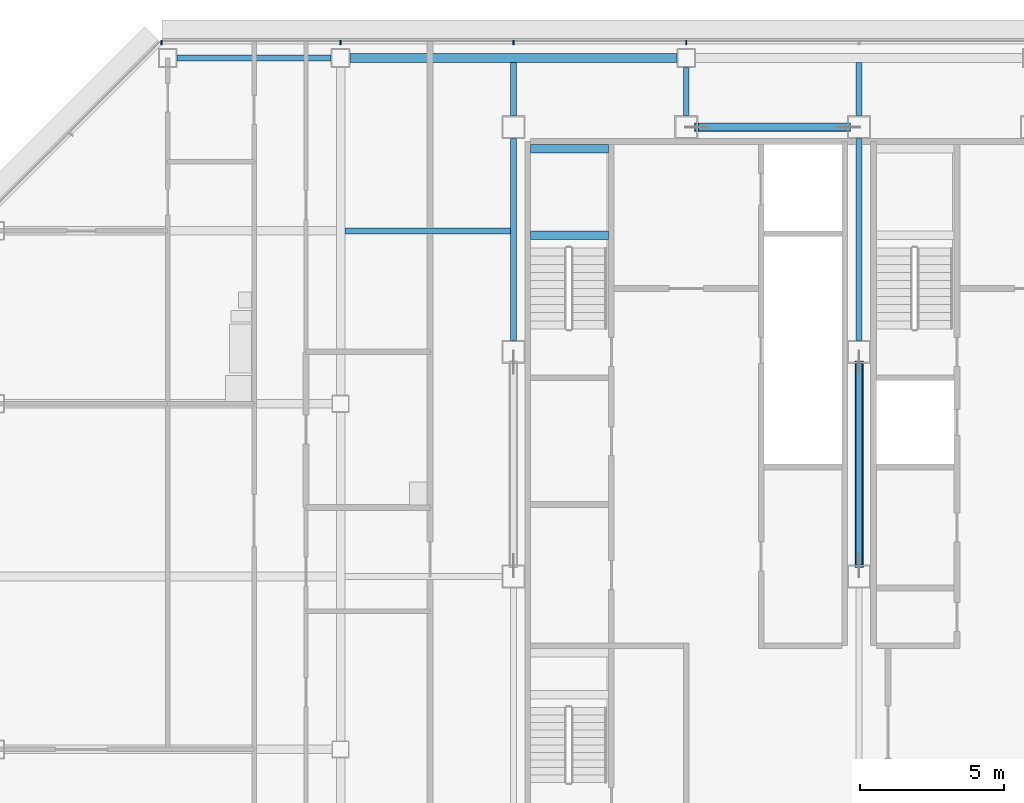
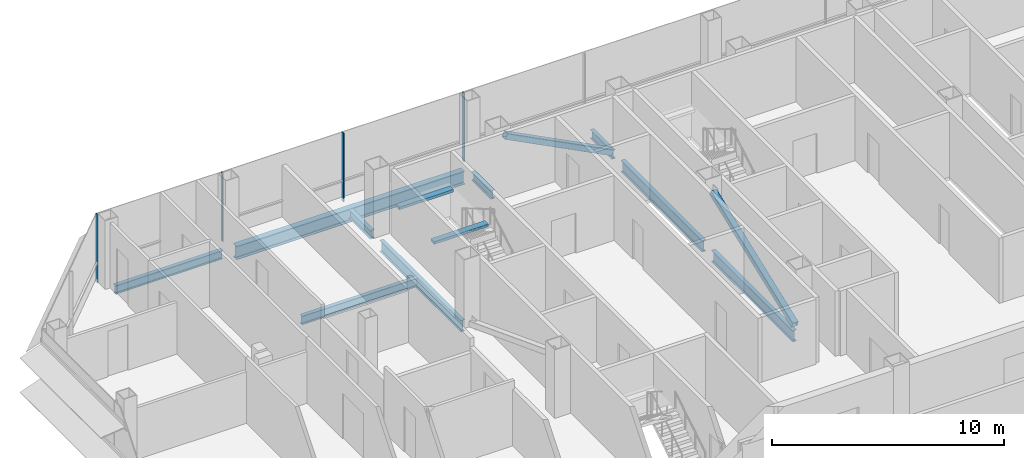
# One storey, part 12 of 26: 11 beams, 6 members, 1 element without a shape of its own.
"""IFC4 building model written with IfcOpenShell, lengths in metres."""

import ifcopenshell
import ifcopenshell.guid

model = None  # the IFC model being written
_history = None  # IfcOwnerHistory: only IFC2X3 demands one
_inside = {}  # id of a spatial element -> (the spatial element, [elements in it])
_under = {}  # id of a project, library or spatial element -> (it, [spatial elements below it])
_declared = {}  # id of a project -> (the project, [libraries it declares])
_typed = {}  # id of a type object -> (the type object, [elements of that type])
_made_of = {}  # id of a material, layer set ... -> (it, [elements and type objects made of it])


def new_model(schema):
    """Start an empty IFC model of exactly this schema.

    Asked for "IFC4X3", IfcOpenShell would pick the latest addendum, in which some entities
    have other attributes; the version numbers below select the first issue.
    IFC2X3 requires an IfcOwnerHistory on every rooted entity: one is made here for all.
    """
    global model, _history
    if schema == "IFC4X3":
        model = ifcopenshell.file(schema_version=(4, 3, 0, 0))
    else:
        model = ifcopenshell.file(schema=schema)
    _inside.clear()
    _under.clear()
    _declared.clear()
    _typed.clear()
    _made_of.clear()
    _history = None
    if model.schema == "IFC2X3":
        org = make("IfcOrganization", Name="unknown")
        user = make(
            "IfcPersonAndOrganization",
            ThePerson=make("IfcPerson", FamilyName="unknown"),
            TheOrganization=org,
        )
        app = make(
            "IfcApplication",
            ApplicationDeveloper=org,
            Version="unknown",
            ApplicationFullName="unknown",
            ApplicationIdentifier="unknown",
        )
        _history = make(
            "IfcOwnerHistory",
            OwningUser=user,
            OwningApplication=app,
            ChangeAction="ADDED",
            CreationDate=0,
        )
    return model


def make(cls, **values):
    """One entity of the class cls with the attributes given. An attribute that is None is left unset."""
    return model.create_entity(
        cls, **{name: value for name, value in values.items() if value is not None}
    )


def rooted(cls, **values):
    """An entity with a GlobalId (a new one), such as an element, a storey or a relation."""
    return make(cls, GlobalId=ifcopenshell.guid.new(), OwnerHistory=_history, **values)


def si_unit(unit_type, name, prefix=None):
    """IfcSIUnit, for example si_unit("LENGTHUNIT", "METRE", prefix="MILLI")."""
    return make("IfcSIUnit", UnitType=unit_type, Prefix=prefix, Name=name)


def assignment(units):
    """IfcUnitAssignment: the units of a project."""
    return None if units is None else make("IfcUnitAssignment", Units=units)


def point(xyz):
    """IfcCartesianPoint."""
    return None if xyz is None else make("IfcCartesianPoint", Coordinates=xyz)


def direction(xyz):
    """IfcDirection."""
    return None if xyz is None else make("IfcDirection", DirectionRatios=xyz)


def frame(location, z_axis=None, x_axis=None):
    """IfcAxis2Placement3D, a coordinate frame: its origin and axes. An axis left out is left unset."""
    return make(
        "IfcAxis2Placement3D",
        Location=point(location),
        Axis=direction(z_axis),
        RefDirection=direction(x_axis),
    )


def frame_2d(location, x_axis=None):
    """IfcAxis2Placement2D, a coordinate frame in the plane: its origin and x axis."""
    return make(
        "IfcAxis2Placement2D", Location=point(location), RefDirection=direction(x_axis)
    )


def origin():
    """The frame at (0, 0, 0) with its axes left unset."""
    return frame((0.0, 0.0, 0.0))


def origin_2d():
    """The frame at (0, 0) in the plane with its x axis left unset."""
    return frame_2d((0.0, 0.0))


def place(relative_to, where):
    """IfcLocalPlacement: puts the frame where relative to a parent placement (None: the world)."""
    return make(
        "IfcLocalPlacement", PlacementRelTo=relative_to, RelativePlacement=where
    )


def context(
    kind, dimensions, precision=None, world=None, true_north=None, identifier=None
):
    """IfcGeometricRepresentationContext, for example the 3D "Model" context."""
    return make(
        "IfcGeometricRepresentationContext",
        ContextIdentifier=identifier,
        ContextType=kind,
        CoordinateSpaceDimension=dimensions,
        Precision=precision,
        WorldCoordinateSystem=world,
        TrueNorth=true_north,
    )


def subcontext(parent, identifier, kind, view, scale=None):
    """IfcGeometricRepresentationSubContext, for example "Body" below "Model"."""
    return make(
        "IfcGeometricRepresentationSubContext",
        ContextIdentifier=identifier,
        ContextType=kind,
        ParentContext=parent,
        TargetScale=scale,
        TargetView=view,
    )


def project(units=None, contexts=None):
    """IfcProject with its units and contexts."""
    return rooted(
        "IfcProject",
        Name="project",
        RepresentationContexts=contexts,
        UnitsInContext=assignment(units),
    )


def spatial(cls, under=None, at=None, **own):
    """A site, building, storey or space (cls), placed at a placement, below another one or the project."""
    s = rooted(cls, ObjectPlacement=at, **own)
    if under is not None:
        _under.setdefault(under.id(), (under, []))[1].append(s)
    return s


def profile(cls, at=None, kind="AREA", **sizes):
    """A parametric profile (cls). Its sizes go by their IFC names, for example OverallWidth=200.0."""
    return make(cls, ProfileType=kind, Position=at, **sizes)


def rectangle(**sizes):
    """IfcRectangleProfileDef."""
    return profile("IfcRectangleProfileDef", **sizes)


def hollow_rectangle(**sizes):
    """IfcRectangleHollowProfileDef."""
    return profile("IfcRectangleHollowProfileDef", **sizes)


def i_section(**sizes):
    """IfcIShapeProfileDef."""
    return profile("IfcIShapeProfileDef", **sizes)


def extrude(swept, where, along, depth):
    """IfcExtrudedAreaSolid: the profile swept, set in the frame where, extruded along a direction by depth."""
    return make(
        "IfcExtrudedAreaSolid",
        SweptArea=swept,
        Position=where,
        ExtrudedDirection=direction(along),
        Depth=depth,
    )


def shape(context_of_items, identifier, shape_type, items):
    """IfcShapeRepresentation: the items that make up one representation, for example the "Body"."""
    return make(
        "IfcShapeRepresentation",
        ContextOfItems=context_of_items,
        RepresentationIdentifier=identifier,
        RepresentationType=shape_type,
        Items=items,
    )


def material(Name=None, Category=None):
    """IfcMaterial."""
    return make("IfcMaterial", Name=Name, Category=Category)


def material_profile(
    of_material, cross_section, Name=None, Category=None, Priority=None
):
    """IfcMaterialProfile: a cross section and its material."""
    return make(
        "IfcMaterialProfile",
        Name=Name,
        Material=of_material,
        Profile=cross_section,
        Priority=Priority,
        Category=Category,
    )


def profile_set(profiles, Name=None, composite=None):
    """IfcMaterialProfileSet."""
    return make(
        "IfcMaterialProfileSet",
        Name=Name,
        MaterialProfiles=profiles,
        CompositeProfile=composite,
    )


def made_of(thing, what):
    """Note that an element or type object is made of a material, layer set ...; save() writes the relation."""
    if what is not None:
        _made_of.setdefault(what.id(), (what, []))[1].append(thing)
    return thing


def type_object(cls, material=None, **own):
    """A type object (cls), such as IfcWallType, which elements share."""
    return made_of(rooted(cls, **own), material)


def element(
    cls,
    number,
    at=None,
    inside=None,
    cuts=None,
    type_object=None,
    material=None,
    context=None,
    identifier="Body",
    shape_type=None,
    held_by="IfcProductDefinitionShape",
    body=None,
    shapes=None,
    **own,
):
    """One element of the class cls, such as IfcWall. Its Tag is "e" and its number.

    at: its placement. inside: the storey or other place that contains it. cuts: it is an
    opening in that element (IfcRelVoidsElement). A single representation is given by context,
    identifier, shape_type and body (its items); several are given by shapes. held_by: the class
    of the entity that holds the representations. save() writes the other relations.
    """
    e = rooted(cls, Tag="e%d" % number, ObjectPlacement=at, **own)
    if body is not None:
        shapes = [shape(context, identifier, shape_type, body)]
    if shapes is not None:
        e.Representation = make(held_by, Representations=shapes)
    if inside is not None:
        _inside.setdefault(inside.id(), (inside, []))[1].append(e)
    if cuts is not None:
        rooted(
            "IfcRelVoidsElement", RelatingBuildingElement=cuts, RelatedOpeningElement=e
        )
    if type_object is not None:
        _typed.setdefault(type_object.id(), (type_object, []))[1].append(e)
    return made_of(e, material)


def aggregate(whole, parts):
    """IfcRelAggregates: a whole, such as a stair, and the parts it consists of."""
    return rooted("IfcRelAggregates", RelatingObject=whole, RelatedObjects=parts)


def save(model, path):
    """Write the relations noted so far, then the file.

    IfcRelAggregates (storeys below a building ...), IfcRelContainedInSpatialStructure (elements
    in a storey), IfcRelDefinesByType, IfcRelAssociatesMaterial and IfcRelDeclares: one each for
    every whole, place, type object, material and project.
    """
    for whole, parts in _under.values():
        aggregate(whole, parts)
    for where, things in _inside.values():
        rooted(
            "IfcRelContainedInSpatialStructure",
            RelatedElements=things,
            RelatingStructure=where,
        )
    for kind, things in _typed.values():
        rooted("IfcRelDefinesByType", RelatedObjects=things, RelatingType=kind)
    for what, things in _made_of.values():
        rooted("IfcRelAssociatesMaterial", RelatedObjects=things, RelatingMaterial=what)
    for by, libraries in _declared.values():
        rooted("IfcRelDeclares", RelatingContext=by, RelatedDefinitions=libraries)
    model.write(path)


model = new_model("IFC4")

# Units and contexts
model_context = context("Model", 3, precision=1e-05, world=origin(), true_north=direction((0.0, 1.0)))
body_context = subcontext(model_context, "Body", "Model", "MODEL_VIEW")
ifc_project = project(units=[si_unit("LENGTHUNIT", "METRE"), si_unit("AREAUNIT", "SQUARE_METRE"), si_unit("VOLUMEUNIT", "CUBIC_METRE"), si_unit("PLANEANGLEUNIT", "RADIAN"), si_unit("MASSUNIT", "GRAM", prefix="KILO")], contexts=[model_context])

# Site, building, storey
site_placement = place(None, origin())
site = spatial("IfcSite", under=ifc_project, at=site_placement, CompositionType="ELEMENT")
building_placement = place(site_placement, origin())
building = spatial("IfcBuilding", under=site, at=building_placement, Name="Sorahane Residences", CompositionType="ELEMENT")
storey_placement = place(building_placement, frame((0.0, 0.0, 243.199951171875)))
storey = spatial("IfcBuildingStorey", under=building, at=storey_placement, Name="L57", CompositionType="ELEMENT", Elevation=243.199951171875)

# Members
ifc_material_1 = material(Name="Steel Q355B", Category="steel")
ifc_material_profile_1 = material_profile(ifc_material_1, hollow_rectangle(XDim=0.300048828125, YDim=0.300048828125, WallThickness=0.01611328125, InnerFilletRadius=0.008056640625, OuterFilletRadius=0.02392578125, at=origin_2d()), Name="RHS 300x300x16")
ifc_profile_set_1 = profile_set([ifc_material_profile_1], Name="Steel Q355B")
member_type_1 = type_object("IfcMemberType", Name="Core brace RHS 300x300x16 Q355B", PredefinedType="BRACE", material=ifc_profile_set_1)
member_1_placement = place(storey_placement, frame((17.64111328125, 45.60009765625, 0.12890625), z_axis=(-0.889590046837, 0.0, 0.45675983686), x_axis=(0.0, -1.0, 0.0)))
element("IfcMember", 1, at=member_1_placement, inside=storey, type_object=member_type_1, Name="Core brace L57 y45.6-2", PredefinedType="BRACE", context=body_context, shape_type="SweptSolid", body=[
    extrude(hollow_rectangle(XDim=0.300048828125, YDim=0.300048828125, WallThickness=0.01611328125, InnerFilletRadius=0.008056640625, OuterFilletRadius=0.02392578125, at=origin_2d()), origin(), (0.0, 0.0, 1.0), 5.937744140625),
])
member_2_placement = place(storey_placement, frame((18.0, 30.367919921875, 0.1376953125), z_axis=(0.0, 0.934335722983, 0.356394103147), x_axis=(-1.0, 0.0, 0.0)))
element("IfcMember", 2, at=member_2_placement, inside=storey, type_object=member_type_1, Name="Core brace L57 x18-1", PredefinedType="BRACE", context=body_context, shape_type="SweptSolid", body=[
    extrude(hollow_rectangle(XDim=0.300048828125, YDim=0.300048828125, WallThickness=0.01611328125, InnerFilletRadius=0.008056640625, OuterFilletRadius=0.02392578125, at=origin_2d()), origin(), (0.0, 0.0, 1.0), 7.560791015625),
])

# Curtain wall, members
ifc_material_2 = material(Name="Dark low-e glass and black anodised aluminium", Category="aluminium")
curtain_wall_type = type_object("IfcCurtainWallType", Name="Curtain wall CW-1 Typical unitised wall", PredefinedType="NOTDEFINED", material=ifc_material_2)
curtain_wall_placement = place(storey_placement, origin())
curtain_wall = element("IfcCurtainWall", 3, at=curtain_wall_placement, inside=storey, type_object=curtain_wall_type, Name="CW-1 curtain wall L57 N1", PredefinedType="NOTDEFINED")
ifc_material_3 = material(Name="Black anodised aluminium", Category="aluminium")
ifc_material_profile_2 = material_profile(ifc_material_3, rectangle(XDim=0.159912109375, YDim=0.050048828125, at=origin_2d()), Name="Curtain wall mullion CW-1 black anodised aluminium 50x160")
ifc_profile_set_2 = profile_set([ifc_material_profile_2], Name="Black anodised aluminium")
member_type_2 = type_object("IfcMemberType", Name="Curtain wall mullion CW-1 black anodised aluminium 50x160", PredefinedType="MULLION", material=ifc_profile_set_2)
member_3_placement = place(storey_placement, frame((12.0, 48.5400390625, -0.179931640625), z_axis=(0.0, 0.0, 1.0), x_axis=(0.0, 1.0, 0.0)))
member_3 = element("IfcMember", 4, at=member_3_placement, type_object=member_type_2, Name="CW-1 mullion L57 N1.7", PredefinedType="MULLION", context=body_context, shape_type="SweptSolid", body=[
    extrude(rectangle(XDim=0.159912109375, YDim=0.050048828125, at=origin_2d()), origin(), (0.0, 0.0, 1.0), 3.60009765625),
])
member_4_placement = place(storey_placement, frame((6.0, 48.5400390625, -0.179931640625), z_axis=(0.0, 0.0, 1.0), x_axis=(0.0, 1.0, 0.0)))
member_4 = element("IfcMember", 5, at=member_4_placement, type_object=member_type_2, Name="CW-1 mullion L57 N1.8", PredefinedType="MULLION", context=body_context, shape_type="SweptSolid", body=[
    extrude(rectangle(XDim=0.159912109375, YDim=0.050048828125, at=origin_2d()), origin(), (0.0, 0.0, 1.0), 3.60009765625),
])
member_5_placement = place(storey_placement, frame((0.0, 48.5400390625, -0.179931640625), z_axis=(0.0, 0.0, 1.0), x_axis=(0.0, 1.0, 0.0)))
member_5 = element("IfcMember", 6, at=member_5_placement, type_object=member_type_2, Name="CW-1 mullion L57 N1.9", PredefinedType="MULLION", context=body_context, shape_type="SweptSolid", body=[
    extrude(rectangle(XDim=0.159912109375, YDim=0.050048828125, at=origin_2d()), origin(), (0.0, 0.0, 1.0), 3.60009765625),
])
member_6_placement = place(storey_placement, frame((-6.2236328125, 48.5400390625, -0.179931640625), z_axis=(0.0, 0.0, 1.0), x_axis=(0.0, 1.0, 0.0)))
member_6 = element("IfcMember", 7, at=member_6_placement, type_object=member_type_2, Name="CW-1 mullion L57 N1.10", PredefinedType="MULLION", context=body_context, shape_type="SweptSolid", body=[
    extrude(rectangle(XDim=0.159912109375, YDim=0.050048828125, at=origin_2d()), origin(), (0.0, 0.0, 1.0), 3.60009765625),
])
aggregate(curtain_wall, [member_3, member_4, member_5, member_6])

# Beams
ifc_material_4 = material(Name="Concrete C40", Category="concrete")
ifc_material_profile_3 = material_profile(ifc_material_4, rectangle(XDim=0.300048828125, YDim=0.139892578125, at=origin_2d()), Name="300x140")
ifc_profile_set_3 = profile_set([ifc_material_profile_3], Name="Concrete C40")
beam_type_1 = type_object("IfcBeamType", Name="RC landing beam 300 x 140 Concrete C40", PredefinedType="BEAM", material=ifc_profile_set_3)
for number, where, z_axis, x_axis, name in (
    (8, (6.60009765625, 41.85009765625, 1.530029296875), (1.0, 0.0, 0.0), (0.0, 1.0, 0.0), "Landing beam"),
    (9, (6.60009765625, 44.85009765625, 1.530029296875), (1.0, 0.0, 0.0), (0.0, 1.0, 0.0), "Landing beam"),
):
    element("IfcBeam", number, at=place(storey_placement, frame(where, z_axis=z_axis, x_axis=x_axis)), inside=storey, type_object=beam_type_1, Name=name, PredefinedType="BEAM", context=body_context, shape_type="SweptSolid", body=[
        extrude(rectangle(XDim=0.300048828125, YDim=0.139892578125, at=origin_2d()), origin(), (0.0, 0.0, 1.0), 2.699951171875),
    ])
ifc_material_5 = material(Name="Steel Q355B", Category="steel")
ifc_material_profile_4 = material_profile(ifc_material_5, i_section(OverallWidth=0.199951171875, OverallDepth=0.449951171875, WebThickness=0.009033203125, FlangeThickness=0.013916015625, FilletRadius=0.02001953125, at=origin_2d()), Name="HN 450x200x9x14")
ifc_profile_set_4 = profile_set([ifc_material_profile_4], Name="Steel Q355B")
beam_type_2 = type_object("IfcBeamType", Name="Steel floor beam HN 450x200x9x14 Q355B", PredefinedType="BEAM", material=ifc_profile_set_4)
beam_1_placement = place(storey_placement, frame((-5.675048828125, 48.0, -0.405029296875), z_axis=(1.0, 0.0, 0.0), x_axis=(0.0, 1.0, 0.0)))
element("IfcBeam", 10, at=beam_1_placement, inside=storey, type_object=beam_type_2, Name="Beam L57 015", PredefinedType="BEAM", context=body_context, shape_type="SweptSolid", body=[
    extrude(i_section(OverallWidth=0.199951171875, OverallDepth=0.449951171875, WebThickness=0.009033203125, FlangeThickness=0.013916015625, FilletRadius=0.02001953125, at=origin_2d()), origin(), (0.0, 0.0, 1.0), 5.35009765625),
])
beam_2_placement = place(storey_placement, frame((6.0, 46.0, -0.405029296875), z_axis=(0.0, 1.0, 0.0), x_axis=(-1.0, 0.0, 0.0)))
element("IfcBeam", 11, at=beam_2_placement, inside=storey, type_object=beam_type_2, Name="Beam L57 033", PredefinedType="BEAM", context=body_context, shape_type="SweptSolid", body=[
    extrude(i_section(OverallWidth=0.199951171875, OverallDepth=0.449951171875, WebThickness=0.009033203125, FlangeThickness=0.013916015625, FilletRadius=0.02001953125, at=origin_2d()), origin(), (0.0, 0.0, 1.0), 1.85009765625),
])
beam_3_placement = place(storey_placement, frame((12.0, 46.0, -0.405029296875), z_axis=(0.0, 1.0, 0.0), x_axis=(-1.0, 0.0, 0.0)))
element("IfcBeam", 12, at=beam_3_placement, inside=storey, type_object=beam_type_2, Name="Beam L57 035", PredefinedType="BEAM", context=body_context, shape_type="SweptSolid", body=[
    extrude(i_section(OverallWidth=0.199951171875, OverallDepth=0.449951171875, WebThickness=0.009033203125, FlangeThickness=0.013916015625, FilletRadius=0.02001953125, at=origin_2d()), origin(), (0.0, 0.0, 1.0), 1.675048828125),
])
beam_4_placement = place(storey_placement, frame((18.0, 46.0, -0.405029296875), z_axis=(0.0, 1.0, 0.0), x_axis=(-1.0, 0.0, 0.0)))
element("IfcBeam", 13, at=beam_4_placement, inside=storey, type_object=beam_type_2, Name="Beam L57 041", PredefinedType="BEAM", context=body_context, shape_type="SweptSolid", body=[
    extrude(i_section(OverallWidth=0.199951171875, OverallDepth=0.449951171875, WebThickness=0.009033203125, FlangeThickness=0.013916015625, FilletRadius=0.02001953125, at=origin_2d()), origin(), (0.0, 0.0, 1.0), 1.85009765625),
])
beam_5_placement = place(storey_placement, frame((0.14990234375, 42.0, -0.405029296875), z_axis=(1.0, 0.0, 0.0), x_axis=(0.0, 1.0, 0.0)))
element("IfcBeam", 14, at=beam_5_placement, inside=storey, type_object=beam_type_2, Name="Beam L57 090", PredefinedType="BEAM", context=body_context, shape_type="SweptSolid", body=[
    extrude(i_section(OverallWidth=0.199951171875, OverallDepth=0.449951171875, WebThickness=0.009033203125, FlangeThickness=0.013916015625, FilletRadius=0.02001953125, at=origin_2d()), origin(), (0.0, 0.0, 1.0), 5.75),
])
ifc_material_6 = material(Name="Steel Q355B", Category="steel")
ifc_material_profile_5 = material_profile(ifc_material_6, i_section(OverallWidth=0.199951171875, OverallDepth=0.60009765625, WebThickness=0.010986328125, FlangeThickness=0.01708984375, FilletRadius=0.02392578125, at=origin_2d()), Name="HN 600x200x11x17")
ifc_profile_set_5 = profile_set([ifc_material_profile_5], Name="Steel Q355B")
beam_type_3 = type_object("IfcBeamType", Name="Steel floor beam HN 600x200x11x17 Q355B", PredefinedType="BEAM", material=ifc_profile_set_5)
for number, where, z_axis, x_axis, name in (
    (15, (6.0, 38.199951171875, -0.47998046875), (0.0, 1.0, 0.0), (-1.0, 0.0, 0.0), "Beam L57 032"),
    (16, (18.0, 30.39990234375, -0.47998046875), (0.0, 1.0, 0.0), (-1.0, 0.0, 0.0), "Beam L57 039"),
    (17, (18.0, 38.199951171875, -0.47998046875), (0.0, 1.0, 0.0), (-1.0, 0.0, 0.0), "Beam L57 040"),
):
    element("IfcBeam", number, at=place(storey_placement, frame(where, z_axis=z_axis, x_axis=x_axis)), inside=storey, type_object=beam_type_3, Name=name, PredefinedType="BEAM", context=body_context, shape_type="SweptSolid", body=[
        extrude(i_section(OverallWidth=0.199951171875, OverallDepth=0.60009765625, WebThickness=0.010986328125, FlangeThickness=0.01708984375, FilletRadius=0.02392578125, at=origin_2d()), origin(), (0.0, 0.0, 1.0), 7.0),
    ])
ifc_material_7 = material(Name="Steel Q355B", Category="steel")
ifc_material_profile_6 = material_profile(ifc_material_7, i_section(OverallWidth=0.300048828125, OverallDepth=0.699951171875, WebThickness=0.012939453125, FlangeThickness=0.02392578125, FilletRadius=0.028076171875, at=origin_2d()), Name="HN 700x300x13x24")
ifc_profile_set_6 = profile_set([ifc_material_profile_6], Name="Steel Q355B")
beam_type_4 = type_object("IfcBeamType", Name="Steel floor beam HN 700x300x13x24 Q355B", PredefinedType="BEAM", material=ifc_profile_set_6)
beam_6_placement = place(storey_placement, frame((0.324951171875, 48.0, -0.530029296875), z_axis=(1.0, 0.0, 0.0), x_axis=(0.0, 1.0, 0.0)))
element("IfcBeam", 18, at=beam_6_placement, inside=storey, type_object=beam_type_4, Name="Beam L57 016", PredefinedType="BEAM", context=body_context, shape_type="SweptSolid", body=[
    extrude(i_section(OverallWidth=0.300048828125, OverallDepth=0.699951171875, WebThickness=0.012939453125, FlangeThickness=0.02392578125, FilletRadius=0.028076171875, at=origin_2d()), origin(), (0.0, 0.0, 1.0), 11.35009765625),
])

save(model, "model.ifc")
